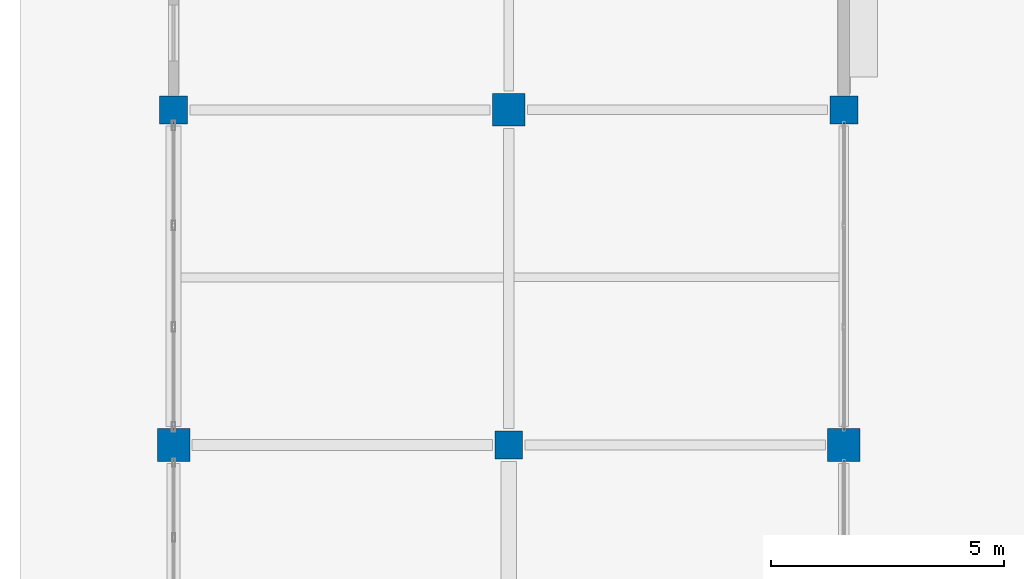
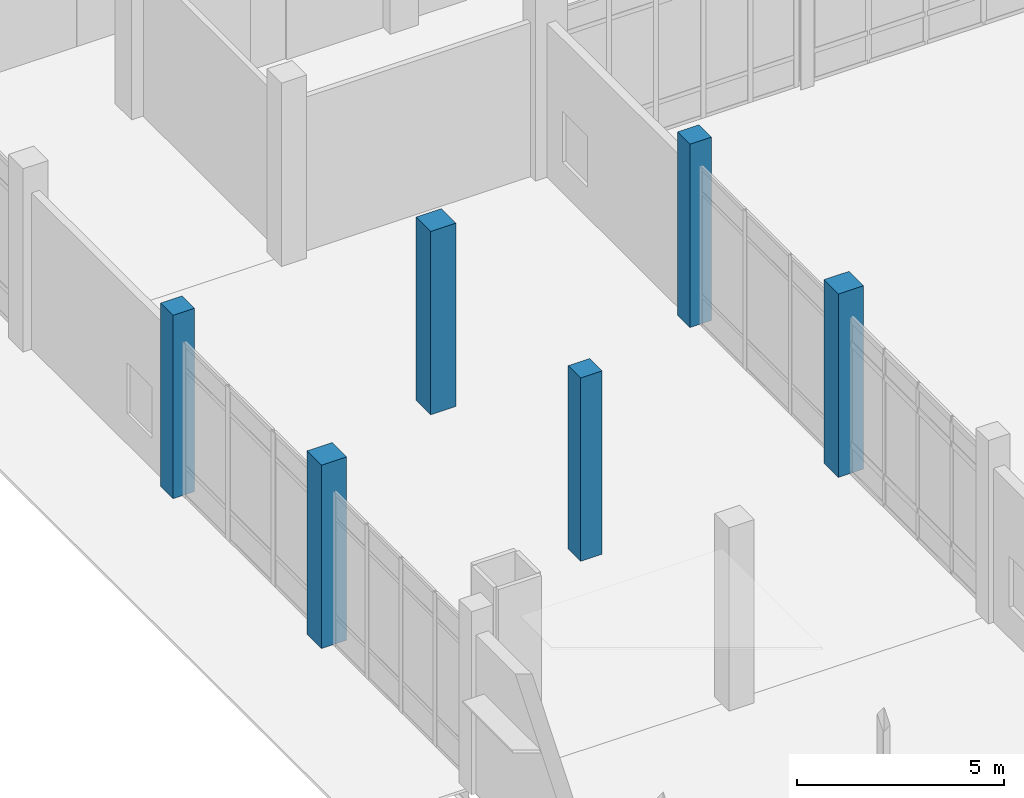
# One storey, part 10 of 229: 6 columns.
"""IFC4 building model written with IfcOpenShell, lengths in metres."""

from ifc_helpers import new_model, si_unit, direction, frame, origin, origin_2d, place, context, subcontext, project, spatial, rectangle, extrude, material, material_profile, profile_set, type_object, element, save


model = new_model("IFC4")

# Units and contexts
model_context = context("Model", 3, precision=1e-05, world=origin(), true_north=direction((0.0, 1.0)))
body_context = subcontext(model_context, "Body", "Model", "MODEL_VIEW")
ifc_project = project(units=[si_unit("LENGTHUNIT", "METRE"), si_unit("AREAUNIT", "SQUARE_METRE"), si_unit("VOLUMEUNIT", "CUBIC_METRE"), si_unit("PLANEANGLEUNIT", "RADIAN"), si_unit("MASSUNIT", "GRAM", prefix="KILO")], contexts=[model_context])

# Site, building, storey
site_placement = place(None, origin())
site = spatial("IfcSite", under=ifc_project, at=site_placement, CompositionType="ELEMENT")
building_placement = place(site_placement, origin())
building = spatial("IfcBuilding", under=site, at=building_placement, Name="Calvrana Isthmian Art Gallery", CompositionType="ELEMENT")
storey_placement = place(building_placement, origin())
storey = spatial("IfcBuildingStorey", under=building, at=storey_placement, Name="L00", CompositionType="ELEMENT", Elevation=0.0)

# Columns
ifc_material = material(Name="Concrete C40/50", Category="concrete")
ifc_material_profile_1 = material_profile(ifc_material, rectangle(XDim=0.60009765625, YDim=0.60009765625, at=origin_2d()), Name="RC600X600")
ifc_profile_set_1 = profile_set([ifc_material_profile_1], Name="Concrete C40/50")
column_type_1 = type_object("IfcColumnType", Name="COL-RC-RC600X600", PredefinedType="COLUMN", material=ifc_profile_set_1)
for number, where, z_axis, x_axis, name in (
    (1, (0.0, 91.199951171875, 0.0), (0.0, 0.0, 1.0), (1.0, 0.0, 0.0), "Column 01/M L00"),
    (2, (7.199951171875, 84.0, 0.0), (0.0, 0.0, 1.0), (1.0, 0.0, 0.0), "Column 02/L L00"),
    (3, (14.39990234375, 91.199951171875, 0.0), (0.0, 0.0, 1.0), (1.0, 0.0, 0.0), "Column 03/M L00"),
):
    element("IfcColumn", number, at=place(storey_placement, frame(where, z_axis=z_axis, x_axis=x_axis)), inside=storey, type_object=column_type_1, Name=name, PredefinedType="COLUMN", context=body_context, shape_type="SweptSolid", body=[
        extrude(rectangle(XDim=0.60009765625, YDim=0.60009765625, at=origin_2d()), origin(), (0.0, 0.0, 1.0), 5.39990234375),
    ])
ifc_material_profile_2 = material_profile(ifc_material, rectangle(XDim=0.699951171875, YDim=0.699951171875, at=origin_2d()), Name="RC700X700")
ifc_profile_set_2 = profile_set([ifc_material_profile_2], Name="Concrete C40/50")
column_type_2 = type_object("IfcColumnType", Name="COL-RC-RC700X700", PredefinedType="COLUMN", material=ifc_profile_set_2)
for number, where, z_axis, x_axis, name in (
    (4, (0.0, 84.0, 0.0), (0.0, 0.0, 1.0), (1.0, 0.0, 0.0), "Column 01/L L00"),
    (5, (7.199951171875, 91.199951171875, 0.0), (0.0, 0.0, 1.0), (1.0, 0.0, 0.0), "Column 02/M L00"),
    (6, (14.39990234375, 84.0, 0.0), (0.0, 0.0, 1.0), (1.0, 0.0, 0.0), "Column 03/L L00"),
):
    element("IfcColumn", number, at=place(storey_placement, frame(where, z_axis=z_axis, x_axis=x_axis)), inside=storey, type_object=column_type_2, Name=name, PredefinedType="COLUMN", context=body_context, shape_type="SweptSolid", body=[
        extrude(rectangle(XDim=0.699951171875, YDim=0.699951171875, at=origin_2d()), origin(), (0.0, 0.0, 1.0), 5.39990234375),
    ])

save(model, "model.ifc")
